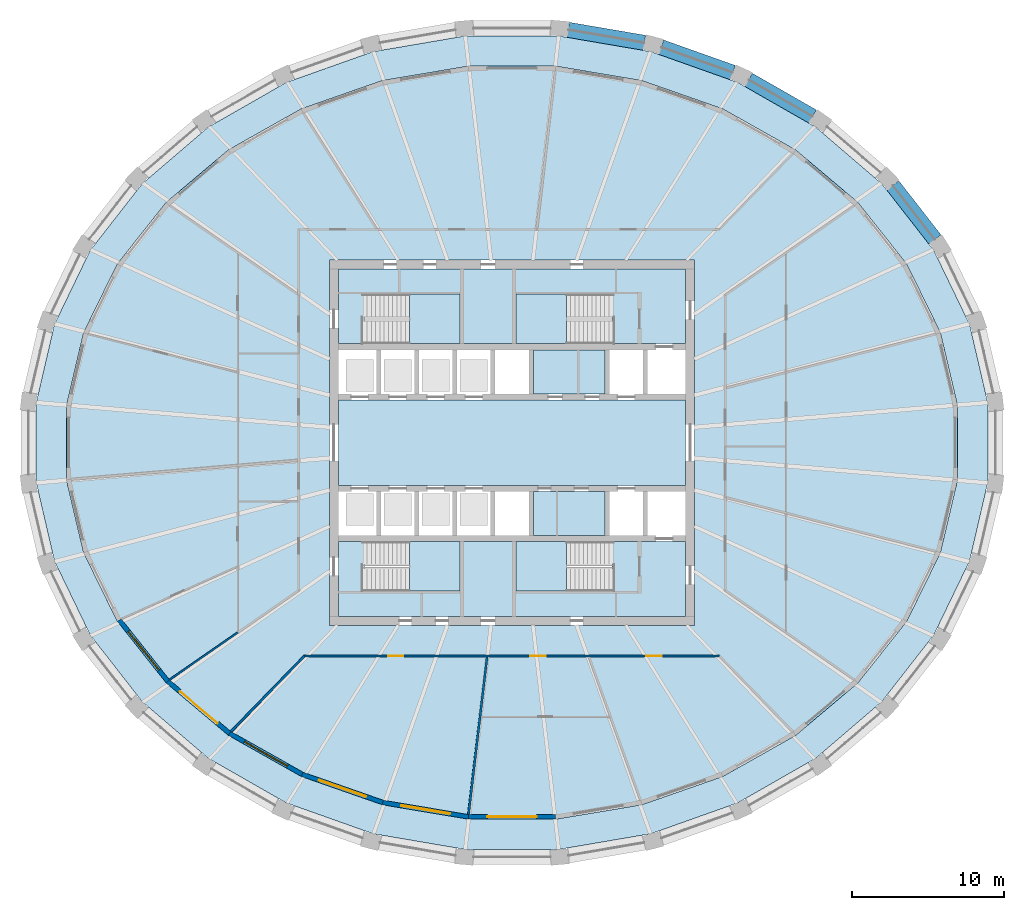
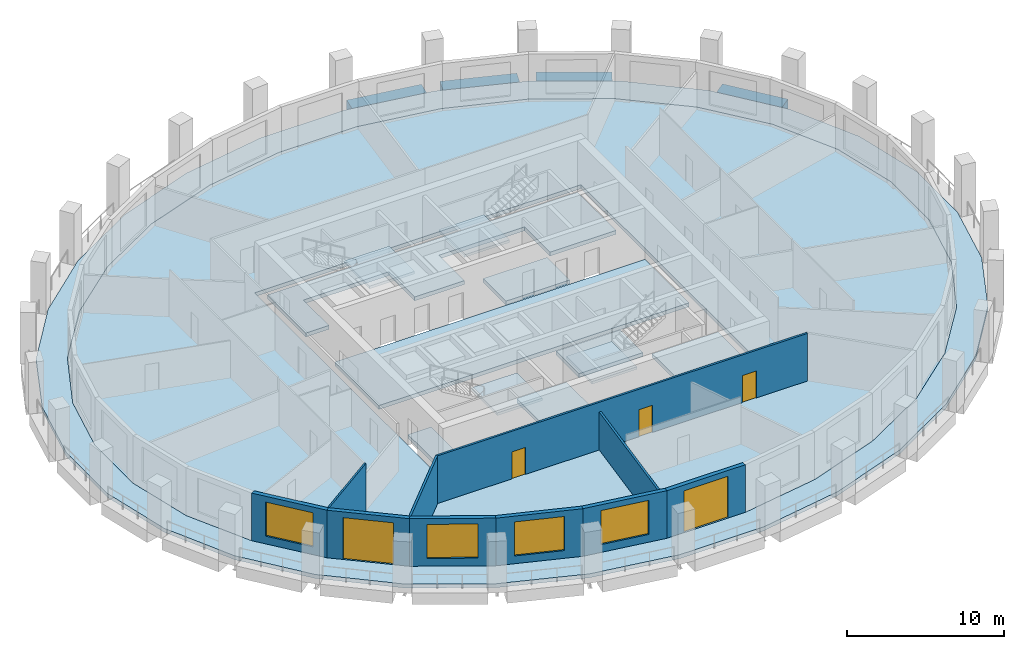
# One storey, part 2 of 11: 11 slabs, 10 walls, 5 doors, 4 beams, 4 windows, 9 openings, 4 elements without a shape of their own.
"""IFC4 building model written with IfcOpenShell, lengths in metres."""

from ifc_helpers import new_model, si_unit, direction, frame, frame_2d, origin, origin_2d, place, context, subcontext, project, spatial, polyline, rectangle, outline, extrude, material, layer, layer_set, material_profile, profile_set, type_object, element, fill, aggregate, save


model = new_model("IFC4")

# Units and contexts
model_context = context("Model", 3, precision=1e-05, world=origin(), true_north=direction((0.0, 1.0)))
body_context = subcontext(model_context, "Body", "Model", "MODEL_VIEW")
ifc_project = project(units=[si_unit("LENGTHUNIT", "METRE"), si_unit("AREAUNIT", "SQUARE_METRE"), si_unit("VOLUMEUNIT", "CUBIC_METRE"), si_unit("PLANEANGLEUNIT", "RADIAN"), si_unit("MASSUNIT", "GRAM", prefix="KILO")], contexts=[model_context])

# Site, building, storey
site_placement = place(None, origin())
site = spatial("IfcSite", under=ifc_project, at=site_placement, CompositionType="ELEMENT")
building_placement = place(site_placement, origin())
building = spatial("IfcBuilding", under=site, at=building_placement, Name="Halqa Exchange Tower", CompositionType="ELEMENT")
storey_placement = place(building_placement, frame((0.0, 0.0, 218.89990234375)))
storey = spatial("IfcBuildingStorey", under=building, at=storey_placement, Name="L50", CompositionType="ELEMENT", Elevation=218.89990234375)

# Beams
ifc_material_1 = material(Name="Concrete C60/75", Category="concrete")
ifc_material_profile = material_profile(ifc_material_1, rectangle(XDim=1.0, YDim=0.89990234375, at=origin_2d()), Name="1000 x 900")
ifc_profile_set = profile_set([ifc_material_profile], Name="Concrete C60/75")
beam_type = type_object("IfcBeamType", Name="RC spandrel beam 1000 x 900 C60/75", PredefinedType="SPANDREL", material=ifc_profile_set)
beam_1_placement = place(storey_placement, frame((27.775390625, 13.34033203125, -0.449951171875), z_axis=(-0.614807814893, 0.788676962226, 0.0), x_axis=(-0.788676962226, -0.614807814893, 0.0)))
element("IfcBeam", 1, at=beam_1_placement, inside=storey, type_object=beam_type, Name="Spandrel 3", PredefinedType="SPANDREL", context=body_context, shape_type="SweptSolid", body=[
    extrude(rectangle(XDim=1.0, YDim=0.89990234375, at=origin_2d()), origin(), (0.0, 0.0, 1.0), 4.500244140625),
])
beam_2_placement = place(storey_placement, frame((19.734619140625, 21.418701171875, -0.449951171875), z_axis=(-0.867767943929, 0.49696961224, 0.0), x_axis=(-0.49696961224, -0.867767943929, 0.0)))
element("IfcBeam", 2, at=beam_2_placement, inside=storey, type_object=beam_type, Name="Spandrel 5", PredefinedType="SPANDREL", context=body_context, shape_type="SweptSolid", body=[
    extrude(rectangle(XDim=1.0, YDim=0.89990234375, at=origin_2d()), origin(), (0.0, 0.0, 1.0), 4.84130859375),
])
beam_3_placement = place(storey_placement, frame((14.49462890625, 24.302001953125, -0.449951171875), z_axis=(-0.942368939802, 0.334575524054, 0.0), x_axis=(-0.334575524054, -0.942368939802, 0.0)))
element("IfcBeam", 3, at=beam_3_placement, inside=storey, type_object=beam_type, Name="Spandrel 6", PredefinedType="SPANDREL", context=body_context, shape_type="SweptSolid", body=[
    extrude(rectangle(XDim=1.0, YDim=0.89990234375, at=origin_2d()), origin(), (0.0, 0.0, 1.0), 4.981689453125),
])
beam_4_placement = place(storey_placement, frame((8.692626953125, 26.257568359375, -0.449951171875), z_axis=(-0.985769121581, 0.168104845076, 0.0), x_axis=(-0.168104845076, -0.985769121581, 0.0)))
element("IfcBeam", 4, at=beam_4_placement, inside=storey, type_object=beam_type, Name="Spandrel 7", PredefinedType="SPANDREL", context=body_context, shape_type="SweptSolid", body=[
    extrude(rectangle(XDim=1.0, YDim=0.89990234375, at=origin_2d()), origin(), (0.0, 0.0, 1.0), 5.072998046875),
])

# Slabs
ifc_layer_1 = layer(ifc_material_1, 0.300048828125)
ifc_layer_set_1 = layer_set([ifc_layer_1], Name="Concrete C60/75")
slab_type_1 = type_object("IfcSlabType", Name="Core floor slab 300", PredefinedType="FLOOR", material=ifc_layer_set_1)
slab_1_placement = place(storey_placement, frame((0.0, 0.0, -0.2998046875)))
element("IfcSlab", 5, at=slab_1_placement, inside=storey, type_object=slab_type_1, Name="Core floor slab", PredefinedType="FLOOR", context=body_context, shape_type="SweptSolid", body=[
    extrude(outline(polyline([(-11.39990234375, 2.800048828125), (11.39990234375, 2.800048828125), (11.39990234375, -2.800048828125), (-11.39990234375, -2.800048828125), (-11.39990234375, 2.800048828125)])), origin(), (0.0, 0.0, 1.0), 0.2998046875),
])
slab_2_placement = place(storey_placement, frame((0.0, 0.0, -0.2998046875)))
element("IfcSlab", 6, at=slab_2_placement, inside=storey, type_object=slab_type_1, Name="Core floor slab", PredefinedType="FLOOR", context=body_context, shape_type="SweptSolid", body=[
    extrude(outline(polyline([(-11.39990234375, 11.39990234375), (11.39990234375, 11.39990234375), (11.39990234375, 6.5), (6.550048828125, 6.5), (6.550048828125, 9.75), (0.25, 9.75), (0.25, 6.5), (-3.39990234375, 6.5), (-3.39990234375, 9.75), (-9.699951171875, 9.75), (-9.699951171875, 6.5), (-11.39990234375, 6.5), (-11.39990234375, 11.39990234375)])), origin(), (0.0, 0.0, 1.0), 0.2998046875),
])
slab_3_placement = place(storey_placement, frame((0.0, 0.0, -0.2998046875)))
element("IfcSlab", 7, at=slab_3_placement, inside=storey, type_object=slab_type_1, Name="Core floor slab", PredefinedType="FLOOR", context=body_context, shape_type="SweptSolid", body=[
    extrude(outline(polyline([(-9.699951171875, -9.75), (-3.39990234375, -9.75), (-3.39990234375, -6.5), (0.25, -6.5), (0.25, -9.75), (6.550048828125, -9.75), (6.550048828125, -6.5), (11.39990234375, -6.5), (11.39990234375, -11.39990234375), (-11.39990234375, -11.39990234375), (-11.39990234375, -6.5), (-9.699951171875, -6.5), (-9.699951171875, -9.75)])), origin(), (0.0, 0.0, 1.0), 0.2998046875),
])
slab_4_placement = place(storey_placement, frame((0.0, 0.0, -0.2998046875)))
element("IfcSlab", 8, at=slab_4_placement, inside=storey, type_object=slab_type_1, Name="Core floor slab", PredefinedType="FLOOR", context=body_context, shape_type="SweptSolid", body=[
    extrude(outline(polyline([(6.10009765625, -3.199951171875), (6.10009765625, -6.10009765625), (1.39990234375, -6.10009765625), (1.39990234375, -3.199951171875), (6.10009765625, -3.199951171875)])), origin(), (0.0, 0.0, 1.0), 0.2998046875),
])
slab_5_placement = place(storey_placement, frame((0.0, 0.0, -0.2998046875)))
element("IfcSlab", 9, at=slab_5_placement, inside=storey, type_object=slab_type_1, Name="Core floor slab", PredefinedType="FLOOR", context=body_context, shape_type="SweptSolid", body=[
    extrude(outline(polyline([(6.10009765625, 6.10009765625), (6.10009765625, 3.199951171875), (1.39990234375, 3.199951171875), (1.39990234375, 6.10009765625), (6.10009765625, 6.10009765625)])), origin(), (0.0, 0.0, 1.0), 0.2998046875),
])
ifc_material_2 = material(Name="Concrete C40/50", Category="concrete")
ifc_layer_2 = layer(ifc_material_2, 0.300048828125)
ifc_layer_set_2 = layer_set([ifc_layer_2], Name="Concrete C40/50")
slab_type_2 = type_object("IfcSlabType", Name="RC floor slab 300", PredefinedType="FLOOR", material=ifc_layer_set_2)
slab_6_placement = place(storey_placement, frame((0.0, 0.0, -0.2998046875)))
element("IfcSlab", 10, at=slab_6_placement, inside=storey, type_object=slab_type_2, Name="Floor slab", PredefinedType="FLOOR", context=body_context, shape_type="SweptSolid", body=[
    extrude(outline(polyline([(29.254638671875, 2.440185546875), (28.126220703125, 7.224853515625), (25.914306640625, 11.728515625), (22.706787109375, 15.77685546875), (18.62939453125, 19.2158203125), (13.839111328125, 21.915283203125), (8.5205078125, 23.773193359375), (2.876708984375, 24.72021484375), (-2.876708984375, 24.72021484375), (-8.5205078125, 23.773193359375), (-13.839111328125, 21.915283203125), (-18.62939453125, 19.2158203125), (-22.706787109375, 15.77685546875), (-25.914306640625, 11.728515625), (-28.126220703125, 7.224853515625), (-29.254638671875, 2.440185546875), (-29.254638671875, -2.440185546875), (-28.126220703125, -7.224853515625), (-25.914306640625, -11.728515625), (-22.706787109375, -15.77685546875), (-18.62939453125, -19.2158203125), (-13.839111328125, -21.915283203125), (-8.5205078125, -23.773193359375), (-2.876708984375, -24.72021484375), (2.876708984375, -24.72021484375), (8.5205078125, -23.773193359375), (13.839111328125, -21.915283203125), (18.62939453125, -19.2158203125), (22.706787109375, -15.77685546875), (25.914306640625, -11.728515625), (28.126220703125, -7.224853515625), (29.254638671875, -2.440185546875), (29.254638671875, 2.440185546875)]), holes=[polyline([(-12.0, -12.0), (12.0, -12.0), (12.0, 12.0), (-12.0, 12.0), (-12.0, -12.0)])]), origin(), (0.0, 0.0, 1.0), 0.2998046875),
])
ifc_layer_3 = layer(ifc_material_2, 0.300048828125)
ifc_layer_set_3 = layer_set([ifc_layer_3], Name="Concrete C40/50")
slab_type_3 = type_object("IfcSlabType", Name="RC loggia slab 300", PredefinedType="FLOOR", material=ifc_layer_set_3)
slab_7_placement = place(storey_placement, frame((0.0, 0.0, -0.2998046875)))
element("IfcSlab", 11, at=slab_7_placement, inside=storey, type_object=slab_type_3, Name="Loggia slab", PredefinedType="FLOOR", context=body_context, shape_type="SweptSolid", body=[
    extrude(outline(polyline([(31.2412109375, 2.622314453125), (31.2412109375, -2.622314453125), (30.046875, -7.7685546875), (27.70166015625, -12.62158203125), (24.29150390625, -16.99609375), (19.9443359375, -20.722412109375), (14.825439453125, -23.654052734375), (9.1318359375, -25.675537109375), (3.083984375, -26.706787109375), (-3.083984375, -26.706787109375), (-9.1318359375, -25.675537109375), (-14.825439453125, -23.654052734375), (-19.9443359375, -20.722412109375), (-24.29150390625, -16.99609375), (-27.70166015625, -12.62158203125), (-30.046875, -7.7685546875), (-31.2412109375, -2.622314453125), (-31.2412109375, 2.622314453125), (-30.046875, 7.7685546875), (-27.70166015625, 12.62158203125), (-24.29150390625, 16.99609375), (-19.9443359375, 20.722412109375), (-14.825439453125, 23.654052734375), (-9.1318359375, 25.675537109375), (-3.083984375, 26.706787109375), (3.083984375, 26.706787109375), (9.1318359375, 25.675537109375), (14.825439453125, 23.654052734375), (19.9443359375, 20.722412109375), (24.29150390625, 16.99609375), (27.70166015625, 12.62158203125), (30.046875, 7.7685546875), (31.2412109375, 2.622314453125)]), holes=[polyline([(29.254638671875, 2.440185546875), (28.126220703125, 7.224853515625), (25.914306640625, 11.728515625), (22.706787109375, 15.77685546875), (18.62939453125, 19.2158203125), (13.839111328125, 21.915283203125), (8.5205078125, 23.773193359375), (2.876708984375, 24.72021484375), (-2.876708984375, 24.72021484375), (-8.5205078125, 23.773193359375), (-13.839111328125, 21.915283203125), (-18.62939453125, 19.2158203125), (-22.706787109375, 15.77685546875), (-25.914306640625, 11.728515625), (-28.126220703125, 7.224853515625), (-29.254638671875, 2.440185546875), (-29.254638671875, -2.440185546875), (-28.126220703125, -7.224853515625), (-25.914306640625, -11.728515625), (-22.706787109375, -15.77685546875), (-18.62939453125, -19.2158203125), (-13.839111328125, -21.915283203125), (-8.5205078125, -23.773193359375), (-2.876708984375, -24.72021484375), (2.876708984375, -24.72021484375), (8.5205078125, -23.773193359375), (13.839111328125, -21.915283203125), (18.62939453125, -19.2158203125), (22.706787109375, -15.77685546875), (25.914306640625, -11.728515625), (28.126220703125, -7.224853515625), (29.254638671875, -2.440185546875), (29.254638671875, 2.440185546875)])]), origin(), (0.0, 0.0, 1.0), 0.2998046875),
])

# Stair, slab
ifc_material_3 = material(Name="Concrete C30/37", Category="concrete")
stair_type = type_object("IfcStairType", Name="Exit stair 1500 wide", PredefinedType="HALF_TURN_STAIR", material=ifc_material_3)
stair_1_placement = place(storey_placement, origin())
stair_1 = element("IfcStair", 12, at=stair_1_placement, inside=storey, type_object=stair_type, Name="Exit stair ST1", PredefinedType="HALF_TURN_STAIR")
ifc_layer_4 = layer(ifc_material_3, 0.199951171875)
ifc_layer_set_4 = layer_set([ifc_layer_4], Name="Concrete C30/37")
slab_type_4 = type_object("IfcSlabType", Name="Stair landing 200 slab", PredefinedType="LANDING", material=ifc_layer_set_4)
slab_8_placement = place(storey_placement, frame((0.0, 0.0, 1.800048828125)))
slab_8 = element("IfcSlab", 13, at=slab_8_placement, type_object=slab_type_4, Name="ST1 landing 1", PredefinedType="LANDING", context=body_context, shape_type="SweptSolid", body=[
    extrude(outline(polyline([(-6.719970703125, 6.5), (-3.39990234375, 6.5), (-3.39990234375, 9.75), (-6.719970703125, 9.75), (-6.719970703125, 6.5)])), origin(), (0.0, 0.0, 1.0), 0.199951171875),
])
aggregate(stair_1, [slab_8])

stair_2_placement = place(storey_placement, origin())
stair_2 = element("IfcStair", 14, at=stair_2_placement, inside=storey, type_object=stair_type, Name="Exit stair ST2", PredefinedType="HALF_TURN_STAIR")
slab_9_placement = place(storey_placement, frame((0.0, 0.0, 1.800048828125)))
slab_9 = element("IfcSlab", 15, at=slab_9_placement, type_object=slab_type_4, Name="ST2 landing 1", PredefinedType="LANDING", context=body_context, shape_type="SweptSolid", body=[
    extrude(outline(polyline([(0.25, 6.5), (3.570068359375, 6.5), (3.570068359375, 9.75), (0.25, 9.75), (0.25, 6.5)])), origin(), (0.0, 0.0, 1.0), 0.199951171875),
])
aggregate(stair_2, [slab_9])

stair_3_placement = place(storey_placement, origin())
stair_3 = element("IfcStair", 16, at=stair_3_placement, inside=storey, type_object=stair_type, Name="Exit stair ST3", PredefinedType="HALF_TURN_STAIR")
slab_10_placement = place(storey_placement, frame((0.0, 0.0, 1.800048828125)))
slab_10 = element("IfcSlab", 17, at=slab_10_placement, type_object=slab_type_4, Name="ST3 landing 1", PredefinedType="LANDING", context=body_context, shape_type="SweptSolid", body=[
    extrude(outline(polyline([(-6.719970703125, -9.75), (-3.39990234375, -9.75), (-3.39990234375, -6.5), (-6.719970703125, -6.5), (-6.719970703125, -9.75)])), origin(), (0.0, 0.0, 1.0), 0.199951171875),
])
aggregate(stair_3, [slab_10])

stair_4_placement = place(storey_placement, origin())
stair_4 = element("IfcStair", 18, at=stair_4_placement, inside=storey, type_object=stair_type, Name="Exit stair ST4", PredefinedType="HALF_TURN_STAIR")
slab_11_placement = place(storey_placement, frame((0.0, 0.0, 1.800048828125)))
slab_11 = element("IfcSlab", 19, at=slab_11_placement, type_object=slab_type_4, Name="ST4 landing 1", PredefinedType="LANDING", context=body_context, shape_type="SweptSolid", body=[
    extrude(outline(polyline([(0.25, -9.75), (3.570068359375, -9.75), (3.570068359375, -6.5), (0.25, -6.5), (0.25, -9.75)])), origin(), (0.0, 0.0, 1.0), 0.199951171875),
])
aggregate(stair_4, [slab_11])

# Wall, openings, doors
ifc_material_4 = material(Name="Fire-rated gypsum board")
ifc_layer_5 = layer(ifc_material_4, 0.14990234375)
ifc_layer_set_5 = layer_set([ifc_layer_5], Name="Fire-rated gypsum board")
wall_type_1 = type_object("IfcWallType", Name="Fire partition EI 60 150", PredefinedType="PARTITIONING", material=ifc_layer_set_5)
wall_1_placement = place(storey_placement, frame((-13.651611328125, -14.0, 0.0), z_axis=(0.0, 0.0, 1.0), x_axis=(1.0, 0.0, 0.0)))
wall_1 = element("IfcWall", 20, at=wall_1_placement, inside=storey, type_object=wall_type_1, Name="L50-PWL-010", PredefinedType="PARTITIONING", context=body_context, shape_type="SweptSolid", body=[
    extrude(outline(polyline([(0.063232421875, -0.074951171875), (2.00439453125, -0.074951171875), (3.945556640625, -0.074951171875), (5.88671875, -0.074951171875), (7.828125, -0.074951171875), (9.769287109375, -0.074951171875), (11.71044921875, -0.074951171875), (13.651611328125, -0.074951171875), (15.5927734375, -0.074951171875), (17.533935546875, -0.074951171875), (19.47509765625, -0.074951171875), (21.41650390625, -0.074951171875), (23.357666015625, -0.074951171875), (25.298828125, -0.074951171875), (27.239990234375, -0.074951171875), (27.30322265625, 0.074951171875), (27.30322265625, 0.074951171875), (25.35302734375, 0.074951171875), (23.40283203125, 0.074951171875), (21.45263671875, 0.074951171875), (19.502197265625, 0.074951171875), (17.552001953125, 0.074951171875), (15.601806640625, 0.074951171875), (13.651611328125, 0.074951171875), (11.701416015625, 0.074951171875), (9.751220703125, 0.074951171875), (7.801025390625, 0.074951171875), (5.8505859375, 0.074951171875), (3.900390625, 0.074951171875), (1.9501953125, 0.074951171875), (0.0, 0.074951171875), (0.0, 0.074951171875), (0.063232421875, -0.074951171875)])), origin(), (0.0, 0.0, 1.0), 3.7001953125),
])
opening_1_placement = place(wall_1_placement, frame((5.526611328125, 0.0, 0.0)))
opening_1 = element("IfcOpeningElement", 21, at=opening_1_placement, cuts=wall_1, Name="Opening 15-08", PredefinedType="OPENING", context=body_context, shape_type="SweptSolid", body=[
    extrude(rectangle(XDim=1.0, YDim=2.10009765625, at=frame_2d((0.5, 1.050048828125))), frame((0.0, 0.0869140625, 0.0), z_axis=(0.0, -1.0, 0.0), x_axis=(1.0, 0.0, 0.0)), (0.0, 0.0, 1.0), 0.173828125),
])
opening_2_placement = place(wall_1_placement, frame((14.856689453125, 0.0, 0.0)))
opening_2 = element("IfcOpeningElement", 22, at=opening_2_placement, cuts=wall_1, Name="Opening 15-09", PredefinedType="OPENING", context=body_context, shape_type="SweptSolid", body=[
    extrude(rectangle(XDim=1.0, YDim=2.10009765625, at=frame_2d((0.5, 1.050048828125))), frame((0.0, 0.0869140625, 0.0), z_axis=(0.0, -1.0, 0.0), x_axis=(1.0, 0.0, 0.0)), (0.0, 0.0, 1.0), 0.173828125),
])
opening_3_placement = place(wall_1_placement, frame((22.481689453125, 0.0, 0.0)))
opening_3 = element("IfcOpeningElement", 23, at=opening_3_placement, cuts=wall_1, Name="Opening 15-10", PredefinedType="OPENING", context=body_context, shape_type="SweptSolid", body=[
    extrude(rectangle(XDim=1.0, YDim=2.10009765625, at=frame_2d((0.5, 1.050048828125))), frame((0.0, 0.0869140625, 0.0), z_axis=(0.0, -1.0, 0.0), x_axis=(1.0, 0.0, 0.0)), (0.0, 0.0, 1.0), 0.173828125),
])
ifc_material_5 = material(Name="Steel fire door leaf", Category="steel")
door_type_1 = type_object("IfcDoorType", Name="Fire door FD30S 1000 x 2100", OperationType="SINGLE_SWING_LEFT", PredefinedType="DOOR", material=ifc_material_5)
door_1_placement = place(opening_1_placement, frame((1.0, 0.0, 0.0), z_axis=(0.0, 0.0, 1.0), x_axis=(-1.0, 0.0, 0.0)))
door_1 = element("IfcDoor", 24, at=door_1_placement, inside=storey, type_object=door_type_1, Name="L50-IDR-008", OperationType="SINGLE_SWING_LEFT", OverallHeight=2.10009765625, OverallWidth=1.0, PredefinedType="DOOR", context=body_context, shape_type="SweptSolid", body=[
    extrude(rectangle(XDim=1.0, YDim=2.10009765625, at=frame_2d((0.5, 1.050048828125))), frame((0.0, 0.02490234375, 0.0), z_axis=(0.0, -1.0, 0.0), x_axis=(1.0, 0.0, 0.0)), (0.0, 0.0, 1.0), 0.050048828125),
])
fill(opening_1, door_1)
door_2_placement = place(opening_2_placement, frame((1.0, 0.0, 0.0), z_axis=(0.0, 0.0, 1.0), x_axis=(-1.0, 0.0, 0.0)))
door_2 = element("IfcDoor", 25, at=door_2_placement, inside=storey, type_object=door_type_1, Name="L50-IDR-009", OperationType="SINGLE_SWING_LEFT", OverallHeight=2.10009765625, OverallWidth=1.0, PredefinedType="DOOR", context=body_context, shape_type="SweptSolid", body=[
    extrude(rectangle(XDim=1.0, YDim=2.10009765625, at=frame_2d((0.5, 1.050048828125))), frame((0.0, 0.02490234375, 0.0), z_axis=(0.0, -1.0, 0.0), x_axis=(1.0, 0.0, 0.0)), (0.0, 0.0, 1.0), 0.050048828125),
])
fill(opening_2, door_2)
door_3_placement = place(opening_3_placement, frame((1.0, 0.0, 0.0), z_axis=(0.0, 0.0, 1.0), x_axis=(-1.0, 0.0, 0.0)))
door_3 = element("IfcDoor", 26, at=door_3_placement, inside=storey, type_object=door_type_1, Name="L50-IDR-010", OperationType="SINGLE_SWING_RIGHT", OverallHeight=2.10009765625, OverallWidth=1.0, PredefinedType="DOOR", context=body_context, shape_type="SweptSolid", body=[
    extrude(rectangle(XDim=1.0, YDim=2.10009765625, at=frame_2d((0.5, 1.050048828125))), frame((0.0, 0.02490234375, 0.0), z_axis=(0.0, -1.0, 0.0), x_axis=(1.0, 0.0, 0.0)), (0.0, 0.0, 1.0), 0.050048828125),
])
fill(opening_3, door_3)

# Walls
wall_2_placement = place(storey_placement, frame((-13.597900390625, -13.977294921875, 0.0), z_axis=(0.0, 0.0, 1.0), x_axis=(-0.697374409368, -0.716707006494, 0.0)))
element("IfcWall", 27, at=wall_2_placement, inside=storey, type_object=wall_type_1, Name="L50-PWL-017", PredefinedType="PARTITIONING", context=body_context, shape_type="SweptSolid", body=[
    extrude(outline(polyline([(6.970947265625, -0.074951171875), (6.970947265625, -0.070068359375), (6.966064453125, -0.002197265625), (6.94580078125, 0.074951171875), (5.22509765625, 0.074951171875), (3.504638671875, 0.074951171875), (1.783935546875, 0.074951171875), (0.063232421875, 0.074951171875), (0.03173828125, 0.0), (0.0, -0.074951171875), (1.74267578125, -0.074951171875), (3.485595703125, -0.074951171875), (5.228271484375, -0.074951171875), (6.970947265625, -0.074951171875)])), origin(), (0.0, 0.0, 1.0), 3.7001953125),
])
wall_3_placement = place(storey_placement, frame((-2.854248046875, -24.41552734375, 0.0), z_axis=(0.0, 0.0, 1.0), x_axis=(0.116750167138, 0.993161315433, 0.0)))
element("IfcWall", 28, at=wall_3_placement, inside=storey, type_object=wall_type_1, Name="L50-PWL-019", PredefinedType="PARTITIONING", context=body_context, shape_type="SweptSolid", body=[
    extrude(outline(polyline([(0.004150390625, -0.074951171875), (1.630126953125, -0.074951171875), (3.256103515625, -0.074951171875), (4.882080078125, -0.074951171875), (6.508056640625, -0.074951171875), (6.518798828125, -0.07373046875), (6.518798828125, -0.074951171875), (8.469482421875, -0.074951171875), (10.420166015625, -0.074951171875), (10.420166015625, -0.07177734375), (10.40283203125, 0.074951171875), (8.669189453125, 0.074951171875), (6.935302734375, 0.074951171875), (5.201416015625, 0.074951171875), (3.467529296875, 0.074951171875), (1.73388671875, 0.074951171875), (0.0, 0.074951171875), (0.0, -0.0390625), (0.004150390625, -0.074951171875)])), origin(), (0.0, 0.0, 1.0), 2.947021484375),
])
ifc_material_6 = material(Name="Fire-rated glazing", Category="glass")
ifc_layer_6 = layer(ifc_material_6, 0.1201171875)
ifc_layer_set_6 = layer_set([ifc_layer_6], Name="Fire-rated glazing")
wall_type_2 = type_object("IfcWallType", Name="Glazed fire partition EI 60 120", PredefinedType="PARTITIONING", material=ifc_layer_set_6)
wall_4_placement = place(storey_placement, frame((-22.4931640625, -15.569091796875, 0.0), z_axis=(0.0, 0.0, 1.0), x_axis=(0.822322462014, 0.569021764494, 0.0)))
element("IfcWall", 29, at=wall_4_placement, inside=storey, type_object=wall_type_2, Name="L50-PWL-001", PredefinedType="PARTITIONING", context=body_context, shape_type="SweptSolid", body=[
    extrude(outline(polyline([(0.019775390625, -0.06005859375), (1.83447265625, -0.06005859375), (3.649169921875, -0.06005859375), (5.4638671875, -0.06005859375), (5.4638671875, 0.06005859375), (3.642578125, 0.06005859375), (1.8212890625, 0.06005859375), (0.0, 0.06005859375), (0.0, 0.053466796875), (0.00341796875, 0.000244140625), (0.019775390625, -0.06005859375)])), origin(), (0.0, 0.0, 1.0), 3.7001953125),
])

# Wall, opening, window
ifc_material_7 = material(Name="Limestone cladding", Category="masonry")
ifc_layer_7 = layer(ifc_material_7, 0.0400390625)
ifc_material_8 = material(Name="Ventilated cavity")
ifc_layer_8 = layer(ifc_material_8, 0.030029296875, ventilated=True)
ifc_material_9 = material(Name="Mineral wool insulation")
ifc_layer_9 = layer(ifc_material_9, 0.10009765625)
ifc_layer_10 = layer(ifc_material_3, 0.10009765625)
ifc_material_10 = material(Name="Internal plaster")
ifc_layer_11 = layer(ifc_material_10, 0.030029296875)
ifc_layer_set_7 = layer_set([ifc_layer_7, ifc_layer_8, ifc_layer_9, ifc_layer_10, ifc_layer_11], Name="Stone-faced insulated wall 300")
wall_type_3 = type_object("IfcWallType", Name="Stone-faced insulated wall 300", PredefinedType="STANDARD", material=ifc_layer_set_7)
wall_5_placement = place(storey_placement, frame((-25.786865234375, -11.64794921875, 0.0), z_axis=(0.0, 0.0, 1.0), x_axis=(0.621017151557, -0.783796974651, 0.0)))
wall_5 = element("IfcWall", 30, at=wall_5_placement, inside=storey, type_object=wall_type_3, Name="Glass-line wall 19", PredefinedType="STANDARD", context=body_context, shape_type="SweptSolid", body=[
    extrude(outline(polyline([(-0.01611328125, -0.14990234375), (5.14892578125, -0.14990234375), (5.11865234375, 0.14990234375), (0.01611328125, 0.14990234375), (-0.01611328125, -0.14990234375)])), origin(), (0.0, 0.0, 1.0), 3.7001953125),
])
opening_4_placement = place(wall_5_placement, frame((0.94189453125, 0.0, 0.60009765625)))
opening_4 = element("IfcOpeningElement", 31, at=opening_4_placement, cuts=wall_5, Name="Opening W-F3-19", PredefinedType="OPENING", context=body_context, shape_type="SweptSolid", body=[
    extrude(rectangle(XDim=3.25, YDim=2.64990234375, at=frame_2d((1.625, 1.324951171875))), frame((0.0, 0.162109375, 0.0), z_axis=(0.0, -1.0, 0.0), x_axis=(1.0, 0.0, 0.0)), (0.0, 0.0, 1.0), 0.323974609375),
])
ifc_material_11 = material(Name="Clear low-emissivity glass in aluminium frame", Category="aluminium")
window_type = type_object("IfcWindowType", Name="Fixed clear glazed window 3250 x 2650", PartitioningType="TRIPLE_PANEL_VERTICAL", PredefinedType="WINDOW", material=ifc_material_11)
window_1_placement = place(opening_4_placement, origin())
window_1 = element("IfcWindow", 32, at=window_1_placement, inside=storey, type_object=window_type, Name="Window 3", OverallHeight=2.64990234375, OverallWidth=3.25, PartitioningType="TRIPLE_PANEL_VERTICAL", PredefinedType="WINDOW", context=body_context, shape_type="SweptSolid", body=[
    extrude(rectangle(XDim=3.25, YDim=2.64990234375, at=frame_2d((1.625, 1.324951171875))), frame((0.0, 0.030029296875, 0.0), z_axis=(0.0, -1.0, 0.0), x_axis=(1.0, 0.0, 0.0)), (0.0, 0.0, 1.0), 0.06005859375),
])
fill(opening_4, window_1)

# Wall, opening, door
wall_6_placement = place(storey_placement, frame((-22.5986328125, -15.671875, 0.0), z_axis=(0.0, 0.0, 1.0), x_axis=(0.764397795062, -0.644744919255, 0.0)))
wall_6 = element("IfcWall", 33, at=wall_6_placement, inside=storey, type_object=wall_type_3, Name="Glass-line wall 20", PredefinedType="STANDARD", context=body_context, shape_type="SweptSolid", body=[
    extrude(outline(polyline([(-0.01513671875, -0.14990234375), (5.3193359375, -0.14990234375), (5.291015625, 0.14990234375), (0.01513671875, 0.14990234375), (-0.01513671875, -0.14990234375)])), origin(), (0.0, 0.0, 1.0), 3.7001953125),
])
opening_5_placement = place(wall_6_placement, frame((1.027587890625, 0.0, 0.0)))
opening_5 = element("IfcOpeningElement", 34, at=opening_5_placement, cuts=wall_6, Name="Opening LG-F3-05", PredefinedType="OPENING", context=body_context, shape_type="SweptSolid", body=[
    extrude(rectangle(XDim=3.25, YDim=3.25, at=frame_2d((1.625, 1.625))), frame((0.0, 0.162109375, 0.0), z_axis=(0.0, -1.0, 0.0), x_axis=(1.0, 0.0, 0.0)), (0.0, 0.0, 1.0), 0.323974609375),
])
door_type_2 = type_object("IfcDoorType", Name="Glazed sliding loggia door 3250 x 3250", OperationType="DOUBLE_DOOR_SLIDING", PredefinedType="DOOR", material=ifc_material_11)
door_4_placement = place(opening_5_placement, origin())
door_4 = element("IfcDoor", 35, at=door_4_placement, inside=storey, type_object=door_type_2, Name="Loggia door 5", OperationType="DOUBLE_DOOR_SLIDING", OverallHeight=3.25, OverallWidth=3.25, PredefinedType="DOOR", context=body_context, shape_type="SweptSolid", body=[
    extrude(rectangle(XDim=3.25, YDim=3.25, at=frame_2d((1.625, 1.625))), frame((0.0, 0.02490234375, 0.0), z_axis=(0.0, -1.0, 0.0), x_axis=(1.0, 0.0, 0.0)), (0.0, 0.0, 1.0), 0.050048828125),
])
fill(opening_5, door_4)

# Wall, opening, window
wall_7_placement = place(storey_placement, frame((-18.54345703125, -19.09228515625, 0.0), z_axis=(0.0, 0.0, 1.0), x_axis=(0.871207038577, -0.490915772749, 0.0)))
wall_7 = element("IfcWall", 36, at=wall_7_placement, inside=storey, type_object=wall_type_3, Name="Glass-line wall 21", PredefinedType="STANDARD", context=body_context, shape_type="SweptSolid", body=[
    extrude(outline(polyline([(-0.01416015625, -0.14990234375), (5.484375, -0.14990234375), (5.45751953125, 0.14990234375), (0.01416015625, 0.14990234375), (-0.01416015625, -0.14990234375)])), origin(), (0.0, 0.0, 1.0), 3.7001953125),
])
opening_6_placement = place(wall_7_placement, frame((1.110595703125, 0.0, 0.60009765625)))
opening_6 = element("IfcOpeningElement", 37, at=opening_6_placement, cuts=wall_7, Name="Opening W-F3-21", PredefinedType="OPENING", context=body_context, shape_type="SweptSolid", body=[
    extrude(rectangle(XDim=3.25, YDim=2.64990234375, at=frame_2d((1.625, 1.324951171875))), frame((0.0, 0.162109375, 0.0), z_axis=(0.0, -1.0, 0.0), x_axis=(1.0, 0.0, 0.0)), (0.0, 0.0, 1.0), 0.323974609375),
])
window_2_placement = place(opening_6_placement, origin())
window_2 = element("IfcWindow", 38, at=window_2_placement, inside=storey, type_object=window_type, Name="Window 3", OverallHeight=2.64990234375, OverallWidth=3.25, PartitioningType="TRIPLE_PANEL_VERTICAL", PredefinedType="WINDOW", context=body_context, shape_type="SweptSolid", body=[
    extrude(rectangle(XDim=3.25, YDim=2.64990234375, at=frame_2d((1.625, 1.324951171875))), frame((0.0, 0.030029296875, 0.0), z_axis=(0.0, -1.0, 0.0), x_axis=(1.0, 0.0, 0.0)), (0.0, 0.0, 1.0), 0.06005859375),
])
fill(opening_6, window_2)

wall_8_placement = place(storey_placement, frame((-13.777099609375, -21.778076171875, 0.0), z_axis=(0.0, 0.0, 1.0), x_axis=(0.944053670735, -0.329791853708, 0.0)))
wall_8 = element("IfcWall", 39, at=wall_8_placement, inside=storey, type_object=wall_type_3, Name="Glass-line wall 22", PredefinedType="STANDARD", context=body_context, shape_type="SweptSolid", body=[
    extrude(outline(polyline([(-0.013427734375, -0.14990234375), (5.620361328125, -0.14990234375), (5.594970703125, 0.14990234375), (0.013427734375, 0.14990234375), (-0.013427734375, -0.14990234375)])), origin(), (0.0, 0.0, 1.0), 3.7001953125),
])
opening_7_placement = place(wall_8_placement, frame((1.178955078125, 0.0, 0.60009765625)))
opening_7 = element("IfcOpeningElement", 40, at=opening_7_placement, cuts=wall_8, Name="Opening W-F3-22", PredefinedType="OPENING", context=body_context, shape_type="SweptSolid", body=[
    extrude(rectangle(XDim=3.25, YDim=2.64990234375, at=frame_2d((1.625, 1.324951171875))), frame((0.0, 0.162109375, 0.0), z_axis=(0.0, -1.0, 0.0), x_axis=(1.0, 0.0, 0.0)), (0.0, 0.0, 1.0), 0.323974609375),
])
window_3_placement = place(opening_7_placement, origin())
window_3 = element("IfcWindow", 41, at=window_3_placement, inside=storey, type_object=window_type, Name="Window 3", OverallHeight=2.64990234375, OverallWidth=3.25, PartitioningType="TRIPLE_PANEL_VERTICAL", PredefinedType="WINDOW", context=body_context, shape_type="SweptSolid", body=[
    extrude(rectangle(XDim=3.25, YDim=2.64990234375, at=frame_2d((1.625, 1.324951171875))), frame((0.0, 0.030029296875, 0.0), z_axis=(0.0, -1.0, 0.0), x_axis=(1.0, 0.0, 0.0)), (0.0, 0.0, 1.0), 0.06005859375),
])
fill(opening_7, window_3)

wall_9_placement = place(storey_placement, frame((-8.483154296875, -23.62744140625, 0.0), z_axis=(0.0, 0.0, 1.0), x_axis=(0.986218486863, -0.16544816762, 0.0)))
wall_9 = element("IfcWall", 42, at=wall_9_placement, inside=storey, type_object=wall_type_3, Name="Glass-line wall 23", PredefinedType="STANDARD", context=body_context, shape_type="SweptSolid", body=[
    extrude(outline(polyline([(-0.0126953125, -0.14990234375), (5.7099609375, -0.14990234375), (5.68505859375, 0.14990234375), (0.0126953125, 0.14990234375), (-0.0126953125, -0.14990234375)])), origin(), (0.0, 0.0, 1.0), 3.7001953125),
])
opening_8_placement = place(wall_9_placement, frame((1.2236328125, 0.0, 0.60009765625)))
opening_8 = element("IfcOpeningElement", 43, at=opening_8_placement, cuts=wall_9, Name="Opening W-F3-23", PredefinedType="OPENING", context=body_context, shape_type="SweptSolid", body=[
    extrude(rectangle(XDim=3.25, YDim=2.64990234375, at=frame_2d((1.625, 1.324951171875))), frame((0.0, 0.162109375, 0.0), z_axis=(0.0, -1.0, 0.0), x_axis=(1.0, 0.0, 0.0)), (0.0, 0.0, 1.0), 0.323974609375),
])
window_4_placement = place(opening_8_placement, origin())
window_4 = element("IfcWindow", 44, at=window_4_placement, inside=storey, type_object=window_type, Name="Window 3", OverallHeight=2.64990234375, OverallWidth=3.25, PartitioningType="TRIPLE_PANEL_VERTICAL", PredefinedType="WINDOW", context=body_context, shape_type="SweptSolid", body=[
    extrude(rectangle(XDim=3.25, YDim=2.64990234375, at=frame_2d((1.625, 1.324951171875))), frame((0.0, 0.030029296875, 0.0), z_axis=(0.0, -1.0, 0.0), x_axis=(1.0, 0.0, 0.0)), (0.0, 0.0, 1.0), 0.06005859375),
])
fill(opening_8, window_4)

# Wall, opening, door
wall_10_placement = place(storey_placement, frame((-2.8642578125, -24.570068359375, 0.0), z_axis=(0.0, 0.0, 1.0), x_axis=(1.0, 0.0, 0.0)))
wall_10 = element("IfcWall", 45, at=wall_10_placement, inside=storey, type_object=wall_type_3, Name="Glass-line wall 24", PredefinedType="STANDARD", context=body_context, shape_type="SweptSolid", body=[
    extrude(outline(polyline([(-0.012451171875, -0.14990234375), (5.740966796875, -0.14990234375), (5.716064453125, 0.14990234375), (0.012451171875, 0.14990234375), (-0.012451171875, -0.14990234375)])), origin(), (0.0, 0.0, 1.0), 3.7001953125),
])
opening_9_placement = place(wall_10_placement, frame((1.2392578125, 0.0, 0.0)))
opening_9 = element("IfcOpeningElement", 46, at=opening_9_placement, cuts=wall_10, Name="Opening LG-F3-06", PredefinedType="OPENING", context=body_context, shape_type="SweptSolid", body=[
    extrude(rectangle(XDim=3.25, YDim=3.25, at=frame_2d((1.625, 1.625))), frame((0.0, 0.162109375, 0.0), z_axis=(0.0, -1.0, 0.0), x_axis=(1.0, 0.0, 0.0)), (0.0, 0.0, 1.0), 0.323974609375),
])
door_5_placement = place(opening_9_placement, origin())
door_5 = element("IfcDoor", 47, at=door_5_placement, inside=storey, type_object=door_type_2, Name="Loggia door 6", OperationType="DOUBLE_DOOR_SLIDING", OverallHeight=3.25, OverallWidth=3.25, PredefinedType="DOOR", context=body_context, shape_type="SweptSolid", body=[
    extrude(rectangle(XDim=3.25, YDim=3.25, at=frame_2d((1.625, 1.625))), frame((0.0, 0.02490234375, 0.0), z_axis=(0.0, -1.0, 0.0), x_axis=(1.0, 0.0, 0.0)), (0.0, 0.0, 1.0), 0.050048828125),
])
fill(opening_9, door_5)

save(model, "model.ifc")
